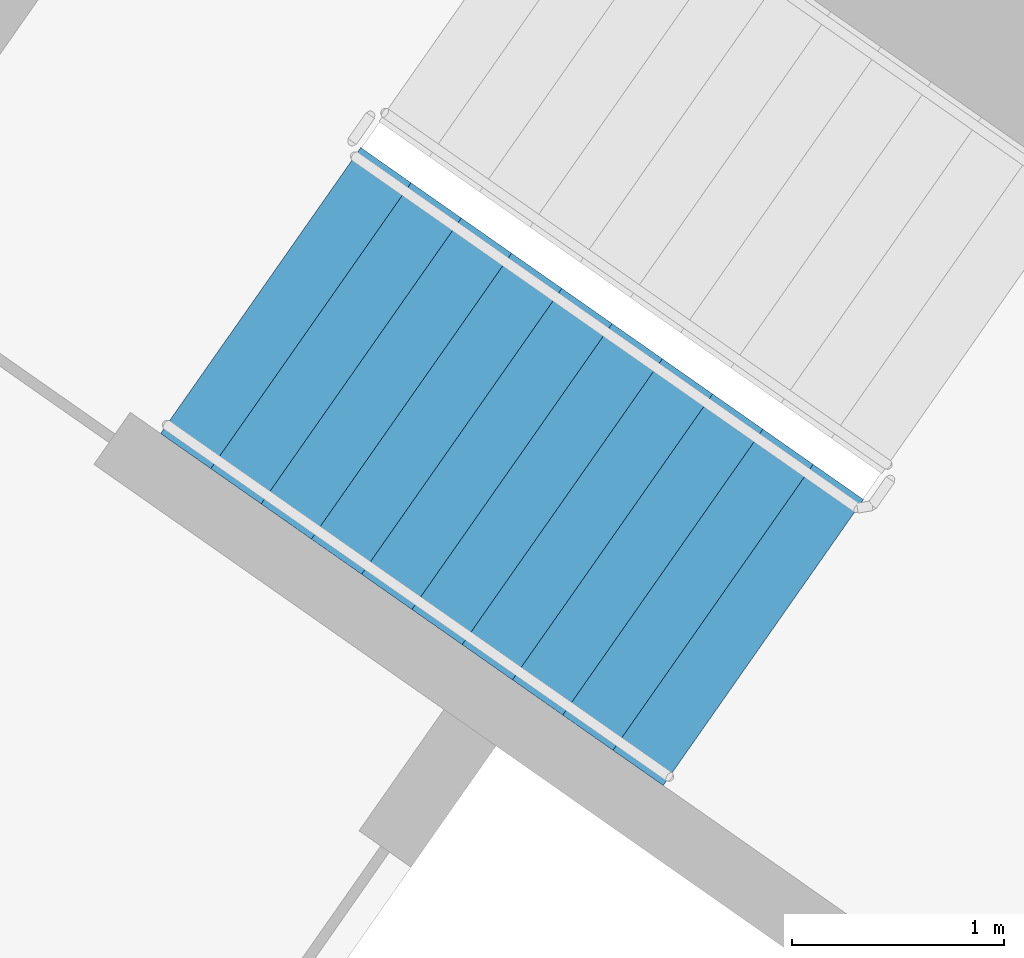
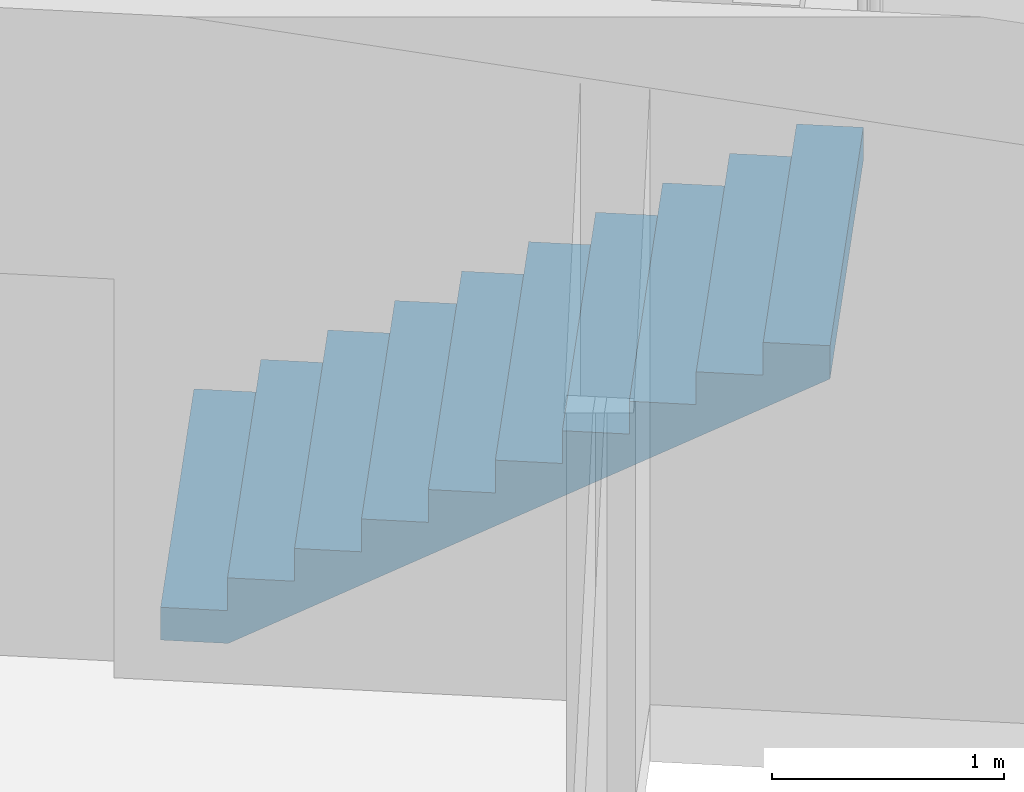
# One storey, part 11 of 28: 1 stair flight, 1 element without a shape of its own.
"""IFC4 building model written with IfcOpenShell, lengths in metres."""

from ifc_helpers import new_model, si_unit, direction, frame, origin, place, context, subcontext, project, spatial, faceted_brep, material, type_object, element, aggregate, save


model = new_model("IFC4")

# Units and contexts
model_context = context("Model", 3, precision=1e-05, world=origin(), true_north=direction((0.0, 1.0)))
body_context = subcontext(model_context, "Body", "Model", "MODEL_VIEW")
ifc_project = project(units=[si_unit("LENGTHUNIT", "METRE"), si_unit("AREAUNIT", "SQUARE_METRE"), si_unit("VOLUMEUNIT", "CUBIC_METRE"), si_unit("PLANEANGLEUNIT", "RADIAN"), si_unit("MASSUNIT", "GRAM", prefix="KILO")], contexts=[model_context])

# Site, building, storey
site_placement = place(None, origin())
site = spatial("IfcSite", under=ifc_project, at=site_placement, CompositionType="ELEMENT")
building_placement = place(site_placement, origin())
building = spatial("IfcBuilding", under=site, at=building_placement, Name="Qamariyya Broadcast Tower", CompositionType="ELEMENT")
storey_placement = place(building_placement, frame((0.0, 0.0, 226.5)))
storey = spatial("IfcBuildingStorey", under=building, at=storey_placement, Name="L54", CompositionType="ELEMENT", Elevation=226.5)

# Stair, stair flight
ifc_material = material(Name="Concrete C50/60", Category="concrete")
stair_type = type_object("IfcStairType", Name="Exit stair 22 risers of 173 mm", PredefinedType="HALF_TURN_STAIR", material=ifc_material)
stair_placement = place(storey_placement, origin())
stair = element("IfcStair", 1, at=stair_placement, inside=storey, type_object=stair_type, Name="L54 Stair W2", PredefinedType="HALF_TURN_STAIR")
stair_flight_type = type_object("IfcStairFlightType", Name="Exit stair flight 11 risers of 173 mm", PredefinedType="STRAIGHT", material=ifc_material)
stair_flight_placement = place(storey_placement, frame((-41.59130859375, -49.15966796875, 0.0), z_axis=(0.0, 0.0, 1.0), x_axis=(0.819152044289, -0.573576436351, 0.0)))
stair_flight = element("IfcStairFlight", 2, at=stair_flight_placement, type_object=stair_flight_type, Name="ST-W2 flight 1", NumberOfRisers=11, NumberOfTreads=10, PredefinedType="STRAIGHT", RiserHeight=0.172727273, TreadLength=0.29, context=body_context, shape_type="Brep", body=[
    faceted_brep([(0.0, 0.824951171875, 0.0), (0.0, 0.824951171875, 0.172607421875), (0.2900390625, 0.824951171875, 0.172607421875), (0.2900390625, 0.824951171875, 0.345458984375), (0.580078125, 0.824951171875, 0.345458984375), (0.580078125, 0.824951171875, 0.51806640625), (0.8701171875, 0.824951171875, 0.51806640625), (0.8701171875, 0.824951171875, 0.69091796875), (1.159912109375, 0.824951171875, 0.69091796875), (1.159912109375, 0.824951171875, 0.863525390625), (1.449951171875, 0.824951171875, 0.863525390625), (1.449951171875, 0.824951171875, 1.036376953125), (1.739990234375, 0.824951171875, 1.036376953125), (1.739990234375, 0.824951171875, 1.208984375), (2.030029296875, 0.824951171875, 1.208984375), (2.030029296875, 0.824951171875, 1.3818359375), (2.320068359375, 0.824951171875, 1.3818359375), (2.320068359375, 0.824951171875, 1.554443359375), (2.610107421875, 0.824951171875, 1.554443359375), (2.610107421875, 0.824951171875, 1.727294921875), (2.89990234375, 0.824951171875, 1.727294921875), (2.89990234375, 0.824951171875, 1.552734375), (0.29296875, 0.824951171875, 0.0), (0.29296875, -0.824951171875, 0.0), (2.89990234375, -0.824951171875, 1.552734375), (2.89990234375, -0.824951171875, 1.727294921875), (2.610107421875, -0.824951171875, 1.727294921875), (2.610107421875, -0.824951171875, 1.554443359375), (2.320068359375, -0.824951171875, 1.554443359375), (2.320068359375, -0.824951171875, 1.3818359375), (2.030029296875, -0.824951171875, 1.3818359375), (2.030029296875, -0.824951171875, 1.208984375), (1.739990234375, -0.824951171875, 1.208984375), (1.739990234375, -0.824951171875, 1.036376953125), (1.449951171875, -0.824951171875, 1.036376953125), (1.449951171875, -0.824951171875, 0.863525390625), (1.159912109375, -0.824951171875, 0.863525390625), (1.159912109375, -0.824951171875, 0.69091796875), (0.8701171875, -0.824951171875, 0.69091796875), (0.8701171875, -0.824951171875, 0.51806640625), (0.580078125, -0.824951171875, 0.51806640625), (0.580078125, -0.824951171875, 0.345458984375), (0.2900390625, -0.824951171875, 0.345458984375), (0.2900390625, -0.824951171875, 0.172607421875), (0.0, -0.824951171875, 0.172607421875), (0.0, -0.824951171875, 0.0), (0.0, 0.10009765625, 0.0), (0.0, 0.086669921875, 0.0), (0.0, 0.0732421875, 0.0), (0.0, 0.06005859375, 0.0), (0.0, 0.046630859375, 0.0), (0.0, 0.033447265625, 0.0), (0.0, 0.02001953125, 0.0), (0.0, 0.006591796875, 0.0), (0.0, -0.006591796875, 0.0), (0.0, -0.02001953125, 0.0), (0.0, -0.033447265625, 0.0), (0.0, -0.046630859375, 0.0), (0.0, -0.06005859375, 0.0), (0.0, -0.0732421875, 0.0), (0.0, -0.086669921875, 0.0), (0.0, -0.10009765625, 0.0), (0.0, -0.10009765625, 0.172607421875), (0.0, -0.086669921875, 0.172607421875), (0.0, -0.0732421875, 0.172607421875), (0.0, -0.06005859375, 0.172607421875), (0.0, -0.046630859375, 0.172607421875), (0.0, -0.033447265625, 0.172607421875), (0.0, -0.02001953125, 0.172607421875), (0.0, -0.006591796875, 0.172607421875), (0.0, 0.006591796875, 0.172607421875), (0.0, 0.02001953125, 0.172607421875), (0.0, 0.033447265625, 0.172607421875), (0.0, 0.046630859375, 0.172607421875), (0.0, 0.06005859375, 0.172607421875), (0.0, 0.0732421875, 0.172607421875), (0.0, 0.086669921875, 0.172607421875), (0.0, 0.10009765625, 0.172607421875), (0.2900390625, -0.10009765625, 0.172607421875), (0.2900390625, -0.086669921875, 0.172607421875), (0.2900390625, -0.0732421875, 0.172607421875), (0.2900390625, -0.06005859375, 0.172607421875), (0.2900390625, -0.046630859375, 0.172607421875), (0.2900390625, -0.033447265625, 0.172607421875), (0.2900390625, -0.02001953125, 0.172607421875), (0.2900390625, -0.006591796875, 0.172607421875), (0.2900390625, 0.006591796875, 0.172607421875), (0.2900390625, 0.02001953125, 0.172607421875), (0.2900390625, 0.033447265625, 0.172607421875), (0.2900390625, 0.046630859375, 0.172607421875), (0.2900390625, 0.06005859375, 0.172607421875), (0.2900390625, 0.0732421875, 0.172607421875), (0.2900390625, 0.086669921875, 0.172607421875), (0.2900390625, 0.10009765625, 0.172607421875), (0.2900390625, -0.10009765625, 0.345458984375), (0.2900390625, -0.086669921875, 0.345458984375), (0.2900390625, -0.0732421875, 0.345458984375), (0.2900390625, -0.06005859375, 0.345458984375), (0.2900390625, -0.046630859375, 0.345458984375), (0.2900390625, -0.033447265625, 0.345458984375), (0.2900390625, -0.02001953125, 0.345458984375), (0.2900390625, -0.006591796875, 0.345458984375), (0.2900390625, 0.006591796875, 0.345458984375), (0.2900390625, 0.02001953125, 0.345458984375), (0.2900390625, 0.033447265625, 0.345458984375), (0.2900390625, 0.046630859375, 0.345458984375), (0.2900390625, 0.06005859375, 0.345458984375), (0.2900390625, 0.0732421875, 0.345458984375), (0.2900390625, 0.086669921875, 0.345458984375), (0.2900390625, 0.10009765625, 0.345458984375), (0.580078125, -0.10009765625, 0.345458984375), (0.580078125, -0.086669921875, 0.345458984375), (0.580078125, -0.0732421875, 0.345458984375), (0.580078125, -0.06005859375, 0.345458984375), (0.580078125, -0.046630859375, 0.345458984375), (0.580078125, -0.033447265625, 0.345458984375), (0.580078125, -0.02001953125, 0.345458984375), (0.580078125, -0.006591796875, 0.345458984375), (0.580078125, 0.006591796875, 0.345458984375), (0.580078125, 0.02001953125, 0.345458984375), (0.580078125, 0.033447265625, 0.345458984375), (0.580078125, 0.046630859375, 0.345458984375), (0.580078125, 0.06005859375, 0.345458984375), (0.580078125, 0.0732421875, 0.345458984375), (0.580078125, 0.086669921875, 0.345458984375), (0.580078125, 0.10009765625, 0.345458984375), (0.580078125, -0.10009765625, 0.51806640625), (0.580078125, -0.086669921875, 0.51806640625), (0.580078125, -0.0732421875, 0.51806640625), (0.580078125, -0.06005859375, 0.51806640625), (0.580078125, -0.046630859375, 0.51806640625), (0.580078125, -0.033447265625, 0.51806640625), (0.580078125, -0.02001953125, 0.51806640625), (0.580078125, -0.006591796875, 0.51806640625), (0.580078125, 0.006591796875, 0.51806640625), (0.580078125, 0.02001953125, 0.51806640625), (0.580078125, 0.033447265625, 0.51806640625), (0.580078125, 0.046630859375, 0.51806640625), (0.580078125, 0.06005859375, 0.51806640625), (0.580078125, 0.0732421875, 0.51806640625), (0.580078125, 0.086669921875, 0.51806640625), (0.580078125, 0.10009765625, 0.51806640625), (0.8701171875, -0.10009765625, 0.51806640625), (0.8701171875, -0.086669921875, 0.51806640625), (0.8701171875, -0.0732421875, 0.51806640625), (0.8701171875, -0.06005859375, 0.51806640625), (0.8701171875, -0.046630859375, 0.51806640625), (0.8701171875, -0.033447265625, 0.51806640625), (0.8701171875, -0.02001953125, 0.51806640625), (0.8701171875, -0.006591796875, 0.51806640625), (0.8701171875, 0.006591796875, 0.51806640625), (0.8701171875, 0.02001953125, 0.51806640625), (0.8701171875, 0.033447265625, 0.51806640625), (0.8701171875, 0.046630859375, 0.51806640625), (0.8701171875, 0.06005859375, 0.51806640625), (0.8701171875, 0.0732421875, 0.51806640625), (0.8701171875, 0.086669921875, 0.51806640625), (0.8701171875, 0.10009765625, 0.51806640625), (0.8701171875, -0.10009765625, 0.69091796875), (0.8701171875, -0.086669921875, 0.69091796875), (0.8701171875, -0.0732421875, 0.69091796875), (0.8701171875, -0.06005859375, 0.69091796875), (0.8701171875, -0.046630859375, 0.69091796875), (0.8701171875, -0.033447265625, 0.69091796875), (0.8701171875, -0.02001953125, 0.69091796875), (0.8701171875, -0.006591796875, 0.69091796875), (0.8701171875, 0.006591796875, 0.69091796875), (0.8701171875, 0.02001953125, 0.69091796875), (0.8701171875, 0.033447265625, 0.69091796875), (0.8701171875, 0.046630859375, 0.69091796875), (0.8701171875, 0.06005859375, 0.69091796875), (0.8701171875, 0.0732421875, 0.69091796875), (0.8701171875, 0.086669921875, 0.69091796875), (0.8701171875, 0.10009765625, 0.69091796875), (1.159912109375, -0.10009765625, 0.69091796875), (1.159912109375, -0.086669921875, 0.69091796875), (1.159912109375, -0.0732421875, 0.69091796875), (1.159912109375, -0.06005859375, 0.69091796875), (1.159912109375, -0.046630859375, 0.69091796875), (1.159912109375, -0.033447265625, 0.69091796875), (1.159912109375, -0.02001953125, 0.69091796875), (1.159912109375, -0.006591796875, 0.69091796875), (1.159912109375, 0.006591796875, 0.69091796875), (1.159912109375, 0.02001953125, 0.69091796875), (1.159912109375, 0.033447265625, 0.69091796875), (1.159912109375, 0.046630859375, 0.69091796875), (1.159912109375, 0.06005859375, 0.69091796875), (1.159912109375, 0.0732421875, 0.69091796875), (1.159912109375, 0.086669921875, 0.69091796875), (1.159912109375, 0.10009765625, 0.69091796875), (1.159912109375, -0.10009765625, 0.863525390625), (1.159912109375, -0.086669921875, 0.863525390625), (1.159912109375, -0.0732421875, 0.863525390625), (1.159912109375, -0.06005859375, 0.863525390625), (1.159912109375, -0.046630859375, 0.863525390625), (1.159912109375, -0.033447265625, 0.863525390625), (1.159912109375, -0.02001953125, 0.863525390625), (1.159912109375, -0.006591796875, 0.863525390625), (1.159912109375, 0.006591796875, 0.863525390625), (1.159912109375, 0.02001953125, 0.863525390625), (1.159912109375, 0.033447265625, 0.863525390625), (1.159912109375, 0.046630859375, 0.863525390625), (1.159912109375, 0.06005859375, 0.863525390625), (1.159912109375, 0.0732421875, 0.863525390625), (1.159912109375, 0.086669921875, 0.863525390625), (1.159912109375, 0.10009765625, 0.863525390625), (1.449951171875, -0.10009765625, 0.863525390625), (1.449951171875, -0.086669921875, 0.863525390625), (1.449951171875, -0.0732421875, 0.863525390625), (1.449951171875, -0.06005859375, 0.863525390625), (1.449951171875, -0.046630859375, 0.863525390625), (1.449951171875, -0.033447265625, 0.863525390625), (1.449951171875, -0.02001953125, 0.863525390625), (1.449951171875, -0.006591796875, 0.863525390625), (1.449951171875, 0.006591796875, 0.863525390625), (1.449951171875, 0.02001953125, 0.863525390625), (1.449951171875, 0.033447265625, 0.863525390625), (1.449951171875, 0.046630859375, 0.863525390625), (1.449951171875, 0.06005859375, 0.863525390625), (1.449951171875, 0.0732421875, 0.863525390625), (1.449951171875, 0.086669921875, 0.863525390625), (1.449951171875, 0.10009765625, 0.863525390625), (1.449951171875, -0.10009765625, 1.036376953125), (1.449951171875, -0.086669921875, 1.036376953125), (1.449951171875, -0.0732421875, 1.036376953125), (1.449951171875, -0.06005859375, 1.036376953125), (1.449951171875, -0.046630859375, 1.036376953125), (1.449951171875, -0.033447265625, 1.036376953125), (1.449951171875, -0.02001953125, 1.036376953125), (1.449951171875, -0.006591796875, 1.036376953125), (1.449951171875, 0.006591796875, 1.036376953125), (1.449951171875, 0.02001953125, 1.036376953125), (1.449951171875, 0.033447265625, 1.036376953125), (1.449951171875, 0.046630859375, 1.036376953125), (1.449951171875, 0.06005859375, 1.036376953125), (1.449951171875, 0.0732421875, 1.036376953125), (1.449951171875, 0.086669921875, 1.036376953125), (1.449951171875, 0.10009765625, 1.036376953125), (1.739990234375, -0.10009765625, 1.036376953125), (1.739990234375, -0.086669921875, 1.036376953125), (1.739990234375, -0.0732421875, 1.036376953125), (1.739990234375, -0.06005859375, 1.036376953125), (1.739990234375, -0.046630859375, 1.036376953125), (1.739990234375, -0.033447265625, 1.036376953125), (1.739990234375, -0.02001953125, 1.036376953125), (1.739990234375, -0.006591796875, 1.036376953125), (1.739990234375, 0.006591796875, 1.036376953125), (1.739990234375, 0.02001953125, 1.036376953125), (1.739990234375, 0.033447265625, 1.036376953125), (1.739990234375, 0.046630859375, 1.036376953125), (1.739990234375, 0.06005859375, 1.036376953125), (1.739990234375, 0.0732421875, 1.036376953125), (1.739990234375, 0.086669921875, 1.036376953125), (1.739990234375, 0.10009765625, 1.036376953125), (1.739990234375, -0.10009765625, 1.208984375), (1.739990234375, -0.086669921875, 1.208984375), (1.739990234375, -0.0732421875, 1.208984375), (1.739990234375, -0.06005859375, 1.208984375), (1.739990234375, -0.046630859375, 1.208984375), (1.739990234375, -0.033447265625, 1.208984375), (1.739990234375, -0.02001953125, 1.208984375), (1.739990234375, -0.006591796875, 1.208984375), (1.739990234375, 0.006591796875, 1.208984375), (1.739990234375, 0.02001953125, 1.208984375), (1.739990234375, 0.033447265625, 1.208984375), (1.739990234375, 0.046630859375, 1.208984375), (1.739990234375, 0.06005859375, 1.208984375), (1.739990234375, 0.0732421875, 1.208984375), (1.739990234375, 0.086669921875, 1.208984375), (1.739990234375, 0.10009765625, 1.208984375), (2.030029296875, -0.10009765625, 1.208984375), (2.030029296875, -0.086669921875, 1.208984375), (2.030029296875, -0.0732421875, 1.208984375), (2.030029296875, -0.06005859375, 1.208984375), (2.030029296875, -0.046630859375, 1.208984375), (2.030029296875, -0.033447265625, 1.208984375), (2.030029296875, -0.02001953125, 1.208984375), (2.030029296875, -0.006591796875, 1.208984375), (2.030029296875, 0.006591796875, 1.208984375), (2.030029296875, 0.02001953125, 1.208984375), (2.030029296875, 0.033447265625, 1.208984375), (2.030029296875, 0.046630859375, 1.208984375), (2.030029296875, 0.06005859375, 1.208984375), (2.030029296875, 0.0732421875, 1.208984375), (2.030029296875, 0.086669921875, 1.208984375), (2.030029296875, 0.10009765625, 1.208984375), (2.030029296875, -0.10009765625, 1.3818359375), (2.030029296875, -0.086669921875, 1.3818359375), (2.030029296875, -0.0732421875, 1.3818359375), (2.030029296875, -0.06005859375, 1.3818359375), (2.030029296875, -0.046630859375, 1.3818359375), (2.030029296875, -0.033447265625, 1.3818359375), (2.030029296875, -0.02001953125, 1.3818359375), (2.030029296875, -0.006591796875, 1.3818359375), (2.030029296875, 0.006591796875, 1.3818359375), (2.030029296875, 0.02001953125, 1.3818359375), (2.030029296875, 0.033447265625, 1.3818359375), (2.030029296875, 0.046630859375, 1.3818359375), (2.030029296875, 0.06005859375, 1.3818359375), (2.030029296875, 0.0732421875, 1.3818359375), (2.030029296875, 0.086669921875, 1.3818359375), (2.030029296875, 0.10009765625, 1.3818359375), (2.320068359375, -0.10009765625, 1.3818359375), (2.320068359375, -0.086669921875, 1.3818359375), (2.320068359375, -0.0732421875, 1.3818359375), (2.320068359375, -0.06005859375, 1.3818359375), (2.320068359375, -0.046630859375, 1.3818359375), (2.320068359375, -0.033447265625, 1.3818359375), (2.320068359375, -0.02001953125, 1.3818359375), (2.320068359375, -0.006591796875, 1.3818359375), (2.320068359375, 0.006591796875, 1.3818359375), (2.320068359375, 0.02001953125, 1.3818359375), (2.320068359375, 0.033447265625, 1.3818359375), (2.320068359375, 0.046630859375, 1.3818359375), (2.320068359375, 0.06005859375, 1.3818359375), (2.320068359375, 0.0732421875, 1.3818359375), (2.320068359375, 0.086669921875, 1.3818359375), (2.320068359375, 0.10009765625, 1.3818359375), (2.320068359375, -0.10009765625, 1.554443359375), (2.320068359375, -0.086669921875, 1.554443359375), (2.320068359375, -0.0732421875, 1.554443359375), (2.320068359375, -0.06005859375, 1.554443359375), (2.320068359375, -0.046630859375, 1.554443359375), (2.320068359375, -0.033447265625, 1.554443359375), (2.320068359375, -0.02001953125, 1.554443359375), (2.320068359375, -0.006591796875, 1.554443359375), (2.320068359375, 0.006591796875, 1.554443359375), (2.320068359375, 0.02001953125, 1.554443359375), (2.320068359375, 0.033447265625, 1.554443359375), (2.320068359375, 0.046630859375, 1.554443359375), (2.320068359375, 0.06005859375, 1.554443359375), (2.320068359375, 0.0732421875, 1.554443359375), (2.320068359375, 0.086669921875, 1.554443359375), (2.320068359375, 0.10009765625, 1.554443359375), (2.610107421875, -0.10009765625, 1.554443359375), (2.610107421875, -0.086669921875, 1.554443359375), (2.610107421875, -0.0732421875, 1.554443359375), (2.610107421875, -0.06005859375, 1.554443359375), (2.610107421875, -0.046630859375, 1.554443359375), (2.610107421875, -0.033447265625, 1.554443359375), (2.610107421875, -0.02001953125, 1.554443359375), (2.610107421875, -0.006591796875, 1.554443359375), (2.610107421875, 0.006591796875, 1.554443359375), (2.610107421875, 0.02001953125, 1.554443359375), (2.610107421875, 0.033447265625, 1.554443359375), (2.610107421875, 0.046630859375, 1.554443359375), (2.610107421875, 0.06005859375, 1.554443359375), (2.610107421875, 0.0732421875, 1.554443359375), (2.610107421875, 0.086669921875, 1.554443359375), (2.610107421875, 0.10009765625, 1.554443359375), (2.610107421875, -0.10009765625, 1.727294921875), (2.610107421875, -0.086669921875, 1.727294921875), (2.610107421875, -0.0732421875, 1.727294921875), (2.610107421875, -0.06005859375, 1.727294921875), (2.610107421875, -0.046630859375, 1.727294921875), (2.610107421875, -0.033447265625, 1.727294921875), (2.610107421875, -0.02001953125, 1.727294921875), (2.610107421875, -0.006591796875, 1.727294921875), (2.610107421875, 0.006591796875, 1.727294921875), (2.610107421875, 0.02001953125, 1.727294921875), (2.610107421875, 0.033447265625, 1.727294921875), (2.610107421875, 0.046630859375, 1.727294921875), (2.610107421875, 0.06005859375, 1.727294921875), (2.610107421875, 0.0732421875, 1.727294921875), (2.610107421875, 0.086669921875, 1.727294921875), (2.610107421875, 0.10009765625, 1.727294921875), (2.89990234375, -0.10009765625, 1.727294921875), (2.89990234375, -0.086669921875, 1.727294921875), (2.89990234375, -0.0732421875, 1.727294921875), (2.89990234375, -0.06005859375, 1.727294921875), (2.89990234375, -0.046630859375, 1.727294921875), (2.89990234375, -0.033447265625, 1.727294921875), (2.89990234375, -0.02001953125, 1.727294921875), (2.89990234375, -0.006591796875, 1.727294921875), (2.89990234375, 0.006591796875, 1.727294921875), (2.89990234375, 0.02001953125, 1.727294921875), (2.89990234375, 0.033447265625, 1.727294921875), (2.89990234375, 0.046630859375, 1.727294921875), (2.89990234375, 0.06005859375, 1.727294921875), (2.89990234375, 0.0732421875, 1.727294921875), (2.89990234375, 0.086669921875, 1.727294921875), (2.89990234375, 0.10009765625, 1.727294921875), (2.89990234375, -0.10009765625, 1.552734375), (2.89990234375, -0.086669921875, 1.552734375), (2.89990234375, -0.0732421875, 1.552734375), (2.89990234375, -0.06005859375, 1.552734375), (2.89990234375, -0.046630859375, 1.552734375), (2.89990234375, -0.033447265625, 1.552734375), (2.89990234375, -0.02001953125, 1.552734375), (2.89990234375, -0.006591796875, 1.552734375), (2.89990234375, 0.006591796875, 1.552734375), (2.89990234375, 0.02001953125, 1.552734375), (2.89990234375, 0.033447265625, 1.552734375), (2.89990234375, 0.046630859375, 1.552734375), (2.89990234375, 0.06005859375, 1.552734375), (2.89990234375, 0.0732421875, 1.552734375), (2.89990234375, 0.086669921875, 1.552734375), (2.89990234375, 0.10009765625, 1.552734375), (0.29296875, -0.10009765625, 0.0), (0.29296875, -0.086669921875, 0.0), (0.29296875, -0.0732421875, 0.0), (0.29296875, -0.06005859375, 0.0), (0.29296875, -0.046630859375, 0.0), (0.29296875, -0.033447265625, 0.0), (0.29296875, -0.02001953125, 0.0), (0.29296875, -0.006591796875, 0.0), (0.29296875, 0.006591796875, 0.0), (0.29296875, 0.02001953125, 0.0), (0.29296875, 0.033447265625, 0.0), (0.29296875, 0.046630859375, 0.0), (0.29296875, 0.06005859375, 0.0), (0.29296875, 0.0732421875, 0.0), (0.29296875, 0.086669921875, 0.0), (0.29296875, 0.10009765625, 0.0)], [[[0, 1, 2, 3, 4, 5, 6, 7, 8, 9, 10, 11, 12, 13, 14, 15, 16, 17, 18, 19, 20, 21, 22]], [[23, 24, 25, 26, 27, 28, 29, 30, 31, 32, 33, 34, 35, 36, 37, 38, 39, 40, 41, 42, 43, 44, 45]], [[0, 46, 47, 48, 49, 50, 51, 52, 53, 54, 55, 56, 57, 58, 59, 60, 61, 45, 44, 62, 63, 64, 65, 66, 67, 68, 69, 70, 71, 72, 73, 74, 75, 76, 77, 1]], [[1, 77, 76, 75, 74, 73, 72, 71, 70, 69, 68, 67, 66, 65, 64, 63, 62, 44, 43, 78, 79, 80, 81, 82, 83, 84, 85, 86, 87, 88, 89, 90, 91, 92, 93, 2]], [[2, 93, 92, 91, 90, 89, 88, 87, 86, 85, 84, 83, 82, 81, 80, 79, 78, 43, 42, 94, 95, 96, 97, 98, 99, 100, 101, 102, 103, 104, 105, 106, 107, 108, 109, 3]], [[3, 109, 108, 107, 106, 105, 104, 103, 102, 101, 100, 99, 98, 97, 96, 95, 94, 42, 41, 110, 111, 112, 113, 114, 115, 116, 117, 118, 119, 120, 121, 122, 123, 124, 125, 4]], [[4, 125, 124, 123, 122, 121, 120, 119, 118, 117, 116, 115, 114, 113, 112, 111, 110, 41, 40, 126, 127, 128, 129, 130, 131, 132, 133, 134, 135, 136, 137, 138, 139, 140, 141, 5]], [[5, 141, 140, 139, 138, 137, 136, 135, 134, 133, 132, 131, 130, 129, 128, 127, 126, 40, 39, 142, 143, 144, 145, 146, 147, 148, 149, 150, 151, 152, 153, 154, 155, 156, 157, 6]], [[6, 157, 156, 155, 154, 153, 152, 151, 150, 149, 148, 147, 146, 145, 144, 143, 142, 39, 38, 158, 159, 160, 161, 162, 163, 164, 165, 166, 167, 168, 169, 170, 171, 172, 173, 7]], [[7, 173, 172, 171, 170, 169, 168, 167, 166, 165, 164, 163, 162, 161, 160, 159, 158, 38, 37, 174, 175, 176, 177, 178, 179, 180, 181, 182, 183, 184, 185, 186, 187, 188, 189, 8]], [[8, 189, 188, 187, 186, 185, 184, 183, 182, 181, 180, 179, 178, 177, 176, 175, 174, 37, 36, 190, 191, 192, 193, 194, 195, 196, 197, 198, 199, 200, 201, 202, 203, 204, 205, 9]], [[9, 205, 204, 203, 202, 201, 200, 199, 198, 197, 196, 195, 194, 193, 192, 191, 190, 36, 35, 206, 207, 208, 209, 210, 211, 212, 213, 214, 215, 216, 217, 218, 219, 220, 221, 10]], [[10, 221, 220, 219, 218, 217, 216, 215, 214, 213, 212, 211, 210, 209, 208, 207, 206, 35, 34, 222, 223, 224, 225, 226, 227, 228, 229, 230, 231, 232, 233, 234, 235, 236, 237, 11]], [[11, 237, 236, 235, 234, 233, 232, 231, 230, 229, 228, 227, 226, 225, 224, 223, 222, 34, 33, 238, 239, 240, 241, 242, 243, 244, 245, 246, 247, 248, 249, 250, 251, 252, 253, 12]], [[12, 253, 252, 251, 250, 249, 248, 247, 246, 245, 244, 243, 242, 241, 240, 239, 238, 33, 32, 254, 255, 256, 257, 258, 259, 260, 261, 262, 263, 264, 265, 266, 267, 268, 269, 13]], [[13, 269, 268, 267, 266, 265, 264, 263, 262, 261, 260, 259, 258, 257, 256, 255, 254, 32, 31, 270, 271, 272, 273, 274, 275, 276, 277, 278, 279, 280, 281, 282, 283, 284, 285, 14]], [[14, 285, 284, 283, 282, 281, 280, 279, 278, 277, 276, 275, 274, 273, 272, 271, 270, 31, 30, 286, 287, 288, 289, 290, 291, 292, 293, 294, 295, 296, 297, 298, 299, 300, 301, 15]], [[15, 301, 300, 299, 298, 297, 296, 295, 294, 293, 292, 291, 290, 289, 288, 287, 286, 30, 29, 302, 303, 304, 305, 306, 307, 308, 309, 310, 311, 312, 313, 314, 315, 316, 317, 16]], [[16, 317, 316, 315, 314, 313, 312, 311, 310, 309, 308, 307, 306, 305, 304, 303, 302, 29, 28, 318, 319, 320, 321, 322, 323, 324, 325, 326, 327, 328, 329, 330, 331, 332, 333, 17]], [[17, 333, 332, 331, 330, 329, 328, 327, 326, 325, 324, 323, 322, 321, 320, 319, 318, 28, 27, 334, 335, 336, 337, 338, 339, 340, 341, 342, 343, 344, 345, 346, 347, 348, 349, 18]], [[18, 349, 348, 347, 346, 345, 344, 343, 342, 341, 340, 339, 338, 337, 336, 335, 334, 27, 26, 350, 351, 352, 353, 354, 355, 356, 357, 358, 359, 360, 361, 362, 363, 364, 365, 19]], [[19, 365, 364, 363, 362, 361, 360, 359, 358, 357, 356, 355, 354, 353, 352, 351, 350, 26, 25, 366, 367, 368, 369, 370, 371, 372, 373, 374, 375, 376, 377, 378, 379, 380, 381, 20]], [[20, 381, 380, 379, 378, 377, 376, 375, 374, 373, 372, 371, 370, 369, 368, 367, 366, 25, 24, 382, 383, 384, 385, 386, 387, 388, 389, 390, 391, 392, 393, 394, 395, 396, 397, 21]], [[21, 397, 396, 395, 394, 393, 392, 391, 390, 389, 388, 387, 386, 385, 384, 383, 382, 24, 23, 398, 399, 400, 401, 402, 403, 404, 405, 406, 407, 408, 409, 410, 411, 412, 413, 22]], [[22, 413, 412, 411, 410, 409, 408, 407, 406, 405, 404, 403, 402, 401, 400, 399, 398, 23, 45, 61, 60, 59, 58, 57, 56, 55, 54, 53, 52, 51, 50, 49, 48, 47, 46, 0]]]),
])
aggregate(stair, [stair_flight])

save(model, "model.ifc")
